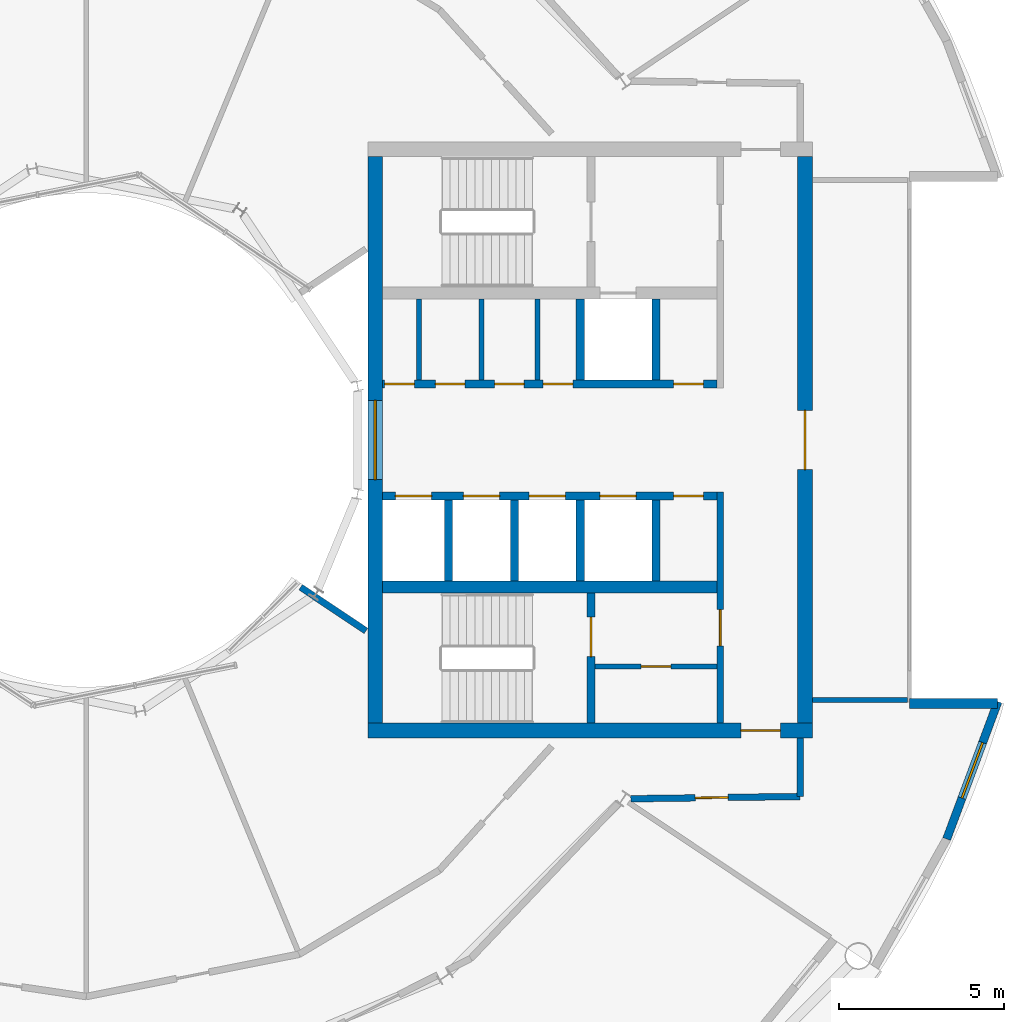
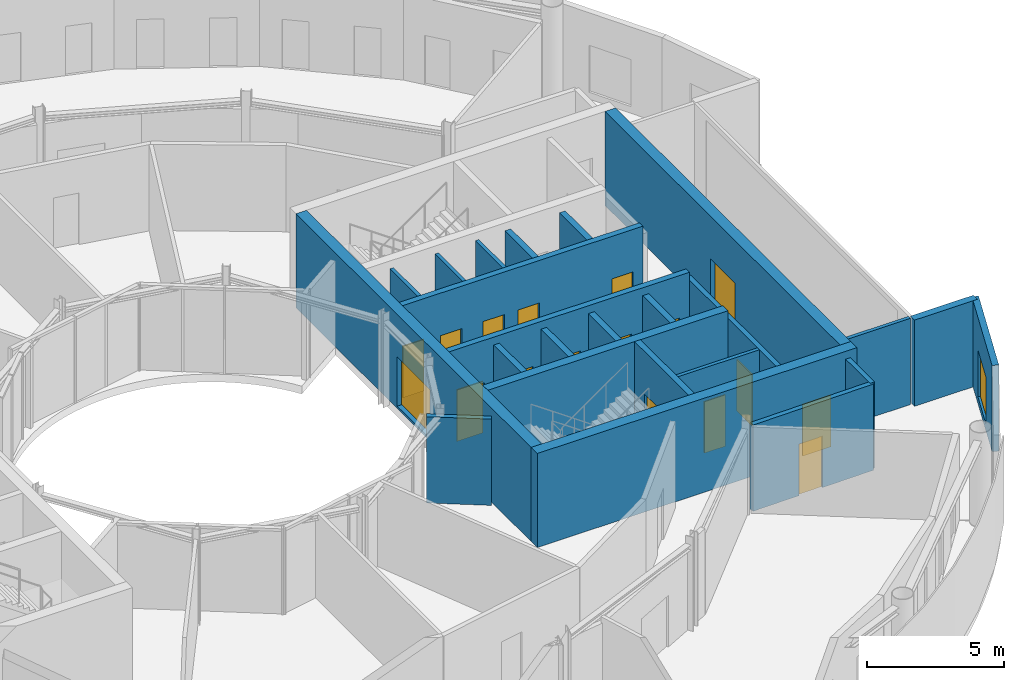
# One storey, part 16 of 22: 24 walls, 16 doors, 2 windows, 18 openings.
"""IFC4 building model written with IfcOpenShell, lengths in metres."""

from ifc_helpers import new_model, si_unit, direction, frame, frame_2d, origin, place, context, subcontext, project, spatial, rectangle, extrude, material, layer, layer_set, type_object, element, fill, save


model = new_model("IFC4")

# Units and contexts
model_context = context("Model", 3, precision=1e-05, world=origin(), true_north=direction((0.0, 1.0)))
body_context = subcontext(model_context, "Body", "Model", "MODEL_VIEW")
ifc_project = project(units=[si_unit("LENGTHUNIT", "METRE"), si_unit("AREAUNIT", "SQUARE_METRE"), si_unit("VOLUMEUNIT", "CUBIC_METRE"), si_unit("PLANEANGLEUNIT", "RADIAN"), si_unit("MASSUNIT", "GRAM", prefix="KILO")], contexts=[model_context])

# Site, building, storey
site_placement = place(None, origin())
site = spatial("IfcSite", under=ifc_project, at=site_placement, CompositionType="ELEMENT")
building_placement = place(site_placement, origin())
building = spatial("IfcBuilding", under=site, at=building_placement, Name="Maasbend Ring Residences", CompositionType="ELEMENT")
storey_placement = place(building_placement, frame((0.0, 0.0, 208.5)))
storey = spatial("IfcBuildingStorey", under=building, at=storey_placement, Name="L60", CompositionType="ELEMENT", Elevation=208.5)

# Wall, openings, doors
ifc_material_1 = material(Name="Concrete C50/60", Category="concrete")
ifc_layer_1 = layer(ifc_material_1, 0.25)
ifc_layer_set_1 = layer_set([ifc_layer_1], Name="Concrete C50/60")
wall_type_1 = type_object("IfcWallType", Name="CORE WALL 250 C50/60", PredefinedType="SHEAR", material=ifc_layer_set_1)
wall_1_placement = place(storey_placement, frame((9.0, 1.699951171875, 0.0), z_axis=(0.0, 0.0, 1.0), x_axis=(1.0, 0.0, 0.0)))
wall_1 = element("IfcWall", 1, at=wall_1_placement, inside=storey, type_object=wall_type_1, Name="L60 core E wall SPN", PredefinedType="SHEAR", context=body_context, shape_type="SweptSolid", body=[
    extrude(rectangle(XDim=10.14990234375, YDim=0.25, at=frame_2d((5.074951171875, 0.0))), origin(), (0.0, 0.0, 1.0), 4.199951171875),
])
opening_1_placement = place(wall_1_placement, frame((0.0625, 0.0, 0.0)))
opening_1 = element("IfcOpeningElement", 2, at=opening_1_placement, cuts=wall_1, Name="Opening D-E6006", PredefinedType="OPENING", context=body_context, shape_type="SweptSolid", body=[
    extrude(rectangle(XDim=0.89990234375, YDim=2.300048828125, at=frame_2d((0.449951171875, 1.14990234375))), frame((0.0, 0.135009765625, 0.0), z_axis=(0.0, -1.0, 0.0), x_axis=(1.0, 0.0, 0.0)), (0.0, 0.0, 1.0), 0.27001953125),
])
opening_2_placement = place(wall_1_placement, frame((1.60009765625, 0.0, 0.0)))
opening_2 = element("IfcOpeningElement", 3, at=opening_2_placement, cuts=wall_1, Name="Opening D-E6007", PredefinedType="OPENING", context=body_context, shape_type="SweptSolid", body=[
    extrude(rectangle(XDim=0.89990234375, YDim=2.300048828125, at=frame_2d((0.449951171875, 1.14990234375))), frame((0.0, 0.135009765625, 0.0), z_axis=(0.0, -1.0, 0.0), x_axis=(1.0, 0.0, 0.0)), (0.0, 0.0, 1.0), 0.27001953125),
])
opening_3_placement = place(wall_1_placement, frame((3.39990234375, 0.0, 0.0)))
opening_3 = element("IfcOpeningElement", 4, at=opening_3_placement, cuts=wall_1, Name="Opening D-E6008", PredefinedType="OPENING", context=body_context, shape_type="SweptSolid", body=[
    extrude(rectangle(XDim=0.89990234375, YDim=2.300048828125, at=frame_2d((0.449951171875, 1.14990234375))), frame((0.0, 0.135009765625, 0.0), z_axis=(0.0, -1.0, 0.0), x_axis=(1.0, 0.0, 0.0)), (0.0, 0.0, 1.0), 0.27001953125),
])
opening_4_placement = place(wall_1_placement, frame((4.875, 0.0, 0.0)))
opening_4 = element("IfcOpeningElement", 5, at=opening_4_placement, cuts=wall_1, Name="Opening D-E6009", PredefinedType="OPENING", context=body_context, shape_type="SweptSolid", body=[
    extrude(rectangle(XDim=0.89990234375, YDim=2.300048828125, at=frame_2d((0.449951171875, 1.14990234375))), frame((0.0, 0.135009765625, 0.0), z_axis=(0.0, -1.0, 0.0), x_axis=(1.0, 0.0, 0.0)), (0.0, 0.0, 1.0), 0.27001953125),
])
opening_5_placement = place(wall_1_placement, frame((8.83740234375, 0.0, 0.0)))
opening_5 = element("IfcOpeningElement", 6, at=opening_5_placement, cuts=wall_1, Name="Opening D-E6010", PredefinedType="OPENING", context=body_context, shape_type="SweptSolid", body=[
    extrude(rectangle(XDim=0.89990234375, YDim=2.300048828125, at=frame_2d((0.449951171875, 1.14990234375))), frame((0.0, 0.135009765625, 0.0), z_axis=(0.0, -1.0, 0.0), x_axis=(1.0, 0.0, 0.0)), (0.0, 0.0, 1.0), 0.27001953125),
])
ifc_material_2 = material(Name="Steel, powder coated", Category="steel")
door_type_1 = type_object("IfcDoorType", Name="ROOM DOOR 900 X 2300 FD30S", OperationType="NOTDEFINED", PredefinedType="DOOR", material=ifc_material_2)
door_1_placement = place(opening_1_placement, origin())
door_1 = element("IfcDoor", 7, at=door_1_placement, inside=storey, type_object=door_type_1, Name="Room door L60", OperationType="SINGLE_SWING_RIGHT", OverallHeight=2.300048828125, OverallWidth=0.89990234375, PredefinedType="DOOR", context=body_context, shape_type="SweptSolid", body=[
    extrude(rectangle(XDim=0.89990234375, YDim=2.300048828125, at=frame_2d((0.449951171875, 1.14990234375))), frame((0.0, 0.02490234375, 0.0), z_axis=(0.0, -1.0, 0.0), x_axis=(1.0, 0.0, 0.0)), (0.0, 0.0, 1.0), 0.050048828125),
])
fill(opening_1, door_1)
door_2_placement = place(opening_2_placement, origin())
door_2 = element("IfcDoor", 8, at=door_2_placement, inside=storey, type_object=door_type_1, Name="Room door L60", OperationType="SINGLE_SWING_RIGHT", OverallHeight=2.300048828125, OverallWidth=0.89990234375, PredefinedType="DOOR", context=body_context, shape_type="SweptSolid", body=[
    extrude(rectangle(XDim=0.89990234375, YDim=2.300048828125, at=frame_2d((0.449951171875, 1.14990234375))), frame((0.0, 0.02490234375, 0.0), z_axis=(0.0, -1.0, 0.0), x_axis=(1.0, 0.0, 0.0)), (0.0, 0.0, 1.0), 0.050048828125),
])
fill(opening_2, door_2)
door_3_placement = place(opening_3_placement, origin())
door_3 = element("IfcDoor", 9, at=door_3_placement, inside=storey, type_object=door_type_1, Name="Room door L60", OperationType="SINGLE_SWING_RIGHT", OverallHeight=2.300048828125, OverallWidth=0.89990234375, PredefinedType="DOOR", context=body_context, shape_type="SweptSolid", body=[
    extrude(rectangle(XDim=0.89990234375, YDim=2.300048828125, at=frame_2d((0.449951171875, 1.14990234375))), frame((0.0, 0.02490234375, 0.0), z_axis=(0.0, -1.0, 0.0), x_axis=(1.0, 0.0, 0.0)), (0.0, 0.0, 1.0), 0.050048828125),
])
fill(opening_3, door_3)
door_4_placement = place(opening_4_placement, origin())
door_4 = element("IfcDoor", 10, at=door_4_placement, inside=storey, type_object=door_type_1, Name="Room door L60", OperationType="SINGLE_SWING_LEFT", OverallHeight=2.300048828125, OverallWidth=0.89990234375, PredefinedType="DOOR", context=body_context, shape_type="SweptSolid", body=[
    extrude(rectangle(XDim=0.89990234375, YDim=2.300048828125, at=frame_2d((0.449951171875, 1.14990234375))), frame((0.0, 0.02490234375, 0.0), z_axis=(0.0, -1.0, 0.0), x_axis=(1.0, 0.0, 0.0)), (0.0, 0.0, 1.0), 0.050048828125),
])
fill(opening_4, door_4)
door_5_placement = place(opening_5_placement, origin())
door_5 = element("IfcDoor", 11, at=door_5_placement, inside=storey, type_object=door_type_1, Name="Room door L60", OperationType="SINGLE_SWING_LEFT", OverallHeight=2.300048828125, OverallWidth=0.89990234375, PredefinedType="DOOR", context=body_context, shape_type="SweptSolid", body=[
    extrude(rectangle(XDim=0.89990234375, YDim=2.300048828125, at=frame_2d((0.449951171875, 1.14990234375))), frame((0.0, 0.02490234375, 0.0), z_axis=(0.0, -1.0, 0.0), x_axis=(1.0, 0.0, 0.0)), (0.0, 0.0, 1.0), 0.050048828125),
])
fill(opening_5, door_5)

wall_2_placement = place(storey_placement, frame((19.14990234375, -1.699951171875, 0.0), z_axis=(0.0, 0.0, 1.0), x_axis=(-1.0, 0.0, 0.0)))
wall_2 = element("IfcWall", 12, at=wall_2_placement, inside=storey, type_object=wall_type_1, Name="L60 core E wall SPS", PredefinedType="SHEAR", context=body_context, shape_type="SweptSolid", body=[
    extrude(rectangle(XDim=10.14990234375, YDim=0.25, at=frame_2d((5.074951171875, 0.0))), origin(), (0.0, 0.0, 1.0), 4.199951171875),
])
opening_6_placement = place(wall_2_placement, frame((8.66259765625, 0.0, 0.0)))
opening_6 = element("IfcOpeningElement", 13, at=opening_6_placement, cuts=wall_2, Name="Opening LD-E6002", PredefinedType="OPENING", context=body_context, shape_type="SweptSolid", body=[
    extrude(rectangle(XDim=1.10009765625, YDim=2.300048828125, at=frame_2d((0.550048828125, 1.14990234375))), frame((0.0, 0.135009765625, 0.0), z_axis=(0.0, -1.0, 0.0), x_axis=(1.0, 0.0, 0.0)), (0.0, 0.0, 1.0), 0.27001953125),
])
opening_7_placement = place(wall_2_placement, frame((6.60009765625, 0.0, 0.0)))
opening_7 = element("IfcOpeningElement", 14, at=opening_7_placement, cuts=wall_2, Name="Opening LD-E6003", PredefinedType="OPENING", context=body_context, shape_type="SweptSolid", body=[
    extrude(rectangle(XDim=1.10009765625, YDim=2.300048828125, at=frame_2d((0.550048828125, 1.14990234375))), frame((0.0, 0.135009765625, 0.0), z_axis=(0.0, -1.0, 0.0), x_axis=(1.0, 0.0, 0.0)), (0.0, 0.0, 1.0), 0.27001953125),
])
opening_8_placement = place(wall_2_placement, frame((4.60009765625, 0.0, 0.0)))
opening_8 = element("IfcOpeningElement", 15, at=opening_8_placement, cuts=wall_2, Name="Opening LD-E6004", PredefinedType="OPENING", context=body_context, shape_type="SweptSolid", body=[
    extrude(rectangle(XDim=1.10009765625, YDim=2.300048828125, at=frame_2d((0.550048828125, 1.14990234375))), frame((0.0, 0.135009765625, 0.0), z_axis=(0.0, -1.0, 0.0), x_axis=(1.0, 0.0, 0.0)), (0.0, 0.0, 1.0), 0.27001953125),
])
opening_9_placement = place(wall_2_placement, frame((2.449951171875, 0.0, 0.0)))
opening_9 = element("IfcOpeningElement", 16, at=opening_9_placement, cuts=wall_2, Name="Opening LD-E6005", PredefinedType="OPENING", context=body_context, shape_type="SweptSolid", body=[
    extrude(rectangle(XDim=1.10009765625, YDim=2.300048828125, at=frame_2d((0.550048828125, 1.14990234375))), frame((0.0, 0.135009765625, 0.0), z_axis=(0.0, -1.0, 0.0), x_axis=(1.0, 0.0, 0.0)), (0.0, 0.0, 1.0), 0.27001953125),
])
opening_10_placement = place(wall_2_placement, frame((0.41259765625, 0.0, 0.0)))
opening_10 = element("IfcOpeningElement", 17, at=opening_10_placement, cuts=wall_2, Name="Opening D-E6011", PredefinedType="OPENING", context=body_context, shape_type="SweptSolid", body=[
    extrude(rectangle(XDim=0.89990234375, YDim=2.300048828125, at=frame_2d((0.449951171875, 1.14990234375))), frame((0.0, 0.135009765625, 0.0), z_axis=(0.0, -1.0, 0.0), x_axis=(1.0, 0.0, 0.0)), (0.0, 0.0, 1.0), 0.27001953125),
])
ifc_material_3 = material(Name="Stainless steel 316", Category="steel")
door_type_2 = type_object("IfcDoorType", Name="LANDING DOOR 1100 X 2300 FD60", OperationType="DOUBLE_DOOR_SLIDING", PredefinedType="DOOR", material=ifc_material_3)
door_6_placement = place(opening_6_placement, origin())
door_6 = element("IfcDoor", 18, at=door_6_placement, inside=storey, type_object=door_type_2, Name="Landing door HR-E1 L60", OperationType="DOUBLE_DOOR_SLIDING", OverallHeight=2.300048828125, OverallWidth=1.10009765625, PredefinedType="DOOR", context=body_context, shape_type="SweptSolid", body=[
    extrude(rectangle(XDim=1.10009765625, YDim=2.300048828125, at=frame_2d((0.550048828125, 1.14990234375))), frame((0.0, 0.02490234375, 0.0), z_axis=(0.0, -1.0, 0.0), x_axis=(1.0, 0.0, 0.0)), (0.0, 0.0, 1.0), 0.050048828125),
])
fill(opening_6, door_6)
door_7_placement = place(opening_7_placement, origin())
door_7 = element("IfcDoor", 19, at=door_7_placement, inside=storey, type_object=door_type_2, Name="Landing door HR-E2 L60", OperationType="DOUBLE_DOOR_SLIDING", OverallHeight=2.300048828125, OverallWidth=1.10009765625, PredefinedType="DOOR", context=body_context, shape_type="SweptSolid", body=[
    extrude(rectangle(XDim=1.10009765625, YDim=2.300048828125, at=frame_2d((0.550048828125, 1.14990234375))), frame((0.0, 0.02490234375, 0.0), z_axis=(0.0, -1.0, 0.0), x_axis=(1.0, 0.0, 0.0)), (0.0, 0.0, 1.0), 0.050048828125),
])
fill(opening_7, door_7)
door_8_placement = place(opening_8_placement, origin())
door_8 = element("IfcDoor", 20, at=door_8_placement, inside=storey, type_object=door_type_2, Name="Landing door HR-E3 L60", OperationType="DOUBLE_DOOR_SLIDING", OverallHeight=2.300048828125, OverallWidth=1.10009765625, PredefinedType="DOOR", context=body_context, shape_type="SweptSolid", body=[
    extrude(rectangle(XDim=1.10009765625, YDim=2.300048828125, at=frame_2d((0.550048828125, 1.14990234375))), frame((0.0, 0.02490234375, 0.0), z_axis=(0.0, -1.0, 0.0), x_axis=(1.0, 0.0, 0.0)), (0.0, 0.0, 1.0), 0.050048828125),
])
fill(opening_8, door_8)
door_9_placement = place(opening_9_placement, origin())
door_9 = element("IfcDoor", 21, at=door_9_placement, inside=storey, type_object=door_type_2, Name="Landing door SV-E L60", OperationType="DOUBLE_DOOR_SLIDING", OverallHeight=2.300048828125, OverallWidth=1.10009765625, PredefinedType="DOOR", context=body_context, shape_type="SweptSolid", body=[
    extrude(rectangle(XDim=1.10009765625, YDim=2.300048828125, at=frame_2d((0.550048828125, 1.14990234375))), frame((0.0, 0.02490234375, 0.0), z_axis=(0.0, -1.0, 0.0), x_axis=(1.0, 0.0, 0.0)), (0.0, 0.0, 1.0), 0.050048828125),
])
fill(opening_9, door_9)
door_10_placement = place(opening_10_placement, origin())
door_10 = element("IfcDoor", 22, at=door_10_placement, inside=storey, type_object=door_type_1, Name="Room door L60", OperationType="SINGLE_SWING_RIGHT", OverallHeight=2.300048828125, OverallWidth=0.89990234375, PredefinedType="DOOR", context=body_context, shape_type="SweptSolid", body=[
    extrude(rectangle(XDim=0.89990234375, YDim=2.300048828125, at=frame_2d((0.449951171875, 1.14990234375))), frame((0.0, 0.02490234375, 0.0), z_axis=(0.0, -1.0, 0.0), x_axis=(1.0, 0.0, 0.0)), (0.0, 0.0, 1.0), 0.050048828125),
])
fill(opening_10, door_10)

# Wall, opening, door
wall_3_placement = place(storey_placement, frame((15.324951171875, -8.60009765625, 0.0), z_axis=(0.0, 0.0, 1.0), x_axis=(0.0, 1.0, 0.0)))
wall_3 = element("IfcWall", 23, at=wall_3_placement, inside=storey, type_object=wall_type_1, Name="L60 core E wall STES", PredefinedType="SHEAR", context=body_context, shape_type="SweptSolid", body=[
    extrude(rectangle(XDim=3.9501953125, YDim=0.25, at=frame_2d((1.97509765625, 0.0))), origin(), (0.0, 0.0, 1.0), 4.199951171875),
])
opening_11_placement = place(wall_3_placement, frame((2.02490234375, 0.0, 0.0)))
opening_11 = element("IfcOpeningElement", 24, at=opening_11_placement, cuts=wall_3, Name="Opening D-E6014", PredefinedType="OPENING", context=body_context, shape_type="SweptSolid", body=[
    extrude(rectangle(XDim=1.199951171875, YDim=2.300048828125, at=frame_2d((0.60009765625, 1.14990234375))), frame((0.0, 0.135009765625, 0.0), z_axis=(0.0, -1.0, 0.0), x_axis=(1.0, 0.0, 0.0)), (0.0, 0.0, 1.0), 0.27001953125),
])
ifc_material_4 = material(Name="Steel, powder coated", Category="steel")
door_type_3 = type_object("IfcDoorType", Name="STAIR DOOR 1200 X 2300 FD60", OperationType="NOTDEFINED", PredefinedType="DOOR", material=ifc_material_4)
door_11_placement = place(opening_11_placement, origin())
door_11 = element("IfcDoor", 25, at=door_11_placement, inside=storey, type_object=door_type_3, Name="Stair door ST-E L60", OperationType="SINGLE_SWING_LEFT", OverallHeight=2.300048828125, OverallWidth=1.199951171875, PredefinedType="DOOR", context=body_context, shape_type="SweptSolid", body=[
    extrude(rectangle(XDim=1.199951171875, YDim=2.300048828125, at=frame_2d((0.60009765625, 1.14990234375))), frame((0.0, 0.02490234375, 0.0), z_axis=(0.0, -1.0, 0.0), x_axis=(1.0, 0.0, 0.0)), (0.0, 0.0, 1.0), 0.050048828125),
])
fill(opening_11, door_11)

# Wall
ifc_material_5 = material(Name="Concrete C50/60", Category="concrete")
ifc_layer_2 = layer(ifc_material_5, 0.375)
ifc_layer_set_2 = layer_set([ifc_layer_2], Name="Concrete C50/60")
wall_type_2 = type_object("IfcWallType", Name="CORE WALL 375 C50/60", PredefinedType="SHEAR", material=ifc_layer_set_2)
wall_4_placement = place(storey_placement, frame((9.0, -4.46240234375, 0.0), z_axis=(0.0, 0.0, 1.0), x_axis=(1.0, 0.0, 0.0)))
element("IfcWall", 26, at=wall_4_placement, inside=storey, type_object=wall_type_2, Name="L60 core E wall BS", PredefinedType="SHEAR", context=body_context, shape_type="SweptSolid", body=[
    extrude(rectangle(XDim=10.14990234375, YDim=0.375, at=frame_2d((5.074951171875, 0.0))), origin(), (0.0, 0.0, 1.0), 4.199951171875),
])

# Wall, opening, door
ifc_material_6 = material(Name="Concrete C50/60", Category="concrete")
ifc_layer_3 = layer(ifc_material_6, 0.449951171875)
ifc_layer_set_3 = layer_set([ifc_layer_3], Name="Concrete C50/60")
wall_type_3 = type_object("IfcWallType", Name="CORE WALL 450 C50/60", PredefinedType="SHEAR", material=ifc_layer_set_3)
wall_5_placement = place(storey_placement, frame((8.550048828125, -8.824951171875, 0.0), z_axis=(0.0, 0.0, 1.0), x_axis=(1.0, 0.0, 0.0)))
wall_5 = element("IfcWall", 27, at=wall_5_placement, inside=storey, type_object=wall_type_3, Name="L60 core E wall PS", PredefinedType="SHEAR", context=body_context, shape_type="SweptSolid", body=[
    extrude(rectangle(XDim=13.5, YDim=0.449951171875, at=frame_2d((6.75, 0.0))), origin(), (0.0, 0.0, 1.0), 4.199951171875),
])
opening_12_placement = place(wall_5_placement, frame((11.324951171875, 0.0, 0.0)))
opening_12 = element("IfcOpeningElement", 28, at=opening_12_placement, cuts=wall_5, Name="Opening D-E6018", PredefinedType="OPENING", context=body_context, shape_type="SweptSolid", body=[
    extrude(rectangle(XDim=1.199951171875, YDim=2.300048828125, at=frame_2d((0.60009765625, 1.14990234375))), frame((0.0, 0.23486328125, 0.0), z_axis=(0.0, -1.0, 0.0), x_axis=(1.0, 0.0, 0.0)), (0.0, 0.0, 1.0), 0.469970703125),
])
ifc_material_7 = material(Name="Steel, powder coated", Category="steel")
door_type_4 = type_object("IfcDoorType", Name="CORRIDOR DOOR 1200 X 2300 FD30S", OperationType="NOTDEFINED", PredefinedType="DOOR", material=ifc_material_7)
door_12_placement = place(opening_12_placement, origin())
door_12 = element("IfcDoor", 29, at=door_12_placement, inside=storey, type_object=door_type_4, Name="Corridor door L60", OperationType="SINGLE_SWING_LEFT", OverallHeight=2.300048828125, OverallWidth=1.199951171875, PredefinedType="DOOR", context=body_context, shape_type="SweptSolid", body=[
    extrude(rectangle(XDim=1.199951171875, YDim=2.300048828125, at=frame_2d((0.60009765625, 1.14990234375))), frame((0.0, 0.02490234375, 0.0), z_axis=(0.0, -1.0, 0.0), x_axis=(1.0, 0.0, 0.0)), (0.0, 0.0, 1.0), 0.050048828125),
])
fill(opening_12, door_12)

wall_6_placement = place(storey_placement, frame((21.824951171875, 8.60009765625, 0.0), z_axis=(0.0, 0.0, 1.0), x_axis=(0.0, -1.0, 0.0)))
wall_6 = element("IfcWall", 30, at=wall_6_placement, inside=storey, type_object=wall_type_3, Name="L60 core E wall POUT", PredefinedType="SHEAR", context=body_context, shape_type="SweptSolid", body=[
    extrude(rectangle(XDim=17.2001953125, YDim=0.449951171875, at=frame_2d((8.60009765625, 0.0))), origin(), (0.0, 0.0, 1.0), 4.199951171875),
])
opening_13_placement = place(wall_6_placement, frame((7.699951171875, 0.0, 0.0)))
opening_13 = element("IfcOpeningElement", 31, at=opening_13_placement, cuts=wall_6, Name="Opening D-E6019", PredefinedType="OPENING", context=body_context, shape_type="SweptSolid", body=[
    extrude(rectangle(XDim=1.800048828125, YDim=2.300048828125, at=frame_2d((0.89990234375, 1.14990234375))), frame((0.0, 0.23486328125, 0.0), z_axis=(0.0, -1.0, 0.0), x_axis=(1.0, 0.0, 0.0)), (0.0, 0.0, 1.0), 0.469970703125),
])
ifc_material_8 = material(Name="Aluminium frame, clear glass", Category="aluminium")
door_type_5 = type_object("IfcDoorType", Name="ENTRANCE DOOR 1800 X 2300 FD60", OperationType="NOTDEFINED", PredefinedType="DOOR", material=ifc_material_8)
door_13_placement = place(opening_13_placement, origin())
door_13 = element("IfcDoor", 32, at=door_13_placement, inside=storey, type_object=door_type_5, Name="Lobby glazed door L60", OperationType="SINGLE_SWING_LEFT", OverallHeight=2.300048828125, OverallWidth=1.800048828125, PredefinedType="DOOR", context=body_context, shape_type="SweptSolid", body=[
    extrude(rectangle(XDim=1.800048828125, YDim=2.300048828125, at=frame_2d((0.89990234375, 1.14990234375))), frame((0.0, 0.02490234375, 0.0), z_axis=(0.0, -1.0, 0.0), x_axis=(1.0, 0.0, 0.0)), (0.0, 0.0, 1.0), 0.050048828125),
])
fill(opening_13, door_13)

# Wall, opening, window
wall_7_placement = place(storey_placement, frame((8.77490234375, -8.60009765625, 0.0), z_axis=(0.0, 0.0, 1.0), x_axis=(0.0, 1.0, 0.0)))
wall_7 = element("IfcWall", 33, at=wall_7_placement, inside=storey, type_object=wall_type_3, Name="L60 core E wall PIN", PredefinedType="SHEAR", context=body_context, shape_type="SweptSolid", body=[
    extrude(rectangle(XDim=17.2001953125, YDim=0.449951171875, at=frame_2d((8.60009765625, 0.0))), origin(), (0.0, 0.0, 1.0), 4.199951171875),
])
opening_14_placement = place(wall_7_placement, frame((7.39990234375, 0.0, 0.10009765625)))
opening_14 = element("IfcOpeningElement", 34, at=opening_14_placement, cuts=wall_7, Name="Opening W-E6001", PredefinedType="OPENING", context=body_context, shape_type="SweptSolid", body=[
    extrude(rectangle(XDim=2.39990234375, YDim=2.199951171875, at=frame_2d((1.199951171875, 1.10009765625))), frame((0.0, 0.23486328125, 0.0), z_axis=(0.0, -1.0, 0.0), x_axis=(1.0, 0.0, 0.0)), (0.0, 0.0, 1.0), 0.469970703125),
])
ifc_material_9 = material(Name="Aluminium frame and clear glass", Category="aluminium")
window_type_1 = type_object("IfcWindowType", Name="FIXED WINDOW 2400 X 2200", PartitioningType="SINGLE_PANEL", PredefinedType="WINDOW", material=ifc_material_9)
window_1_placement = place(opening_14_placement, origin())
window_1 = element("IfcWindow", 35, at=window_1_placement, inside=storey, type_object=window_type_1, Name="Lobby window L60", OverallHeight=2.199951171875, OverallWidth=2.39990234375, PartitioningType="SINGLE_PANEL", PredefinedType="WINDOW", context=body_context, shape_type="SweptSolid", body=[
    extrude(rectangle(XDim=2.39990234375, YDim=2.199951171875, at=frame_2d((1.199951171875, 1.10009765625))), frame((0.0, 0.030029296875, 0.0), z_axis=(0.0, -1.0, 0.0), x_axis=(1.0, 0.0, 0.0)), (0.0, 0.0, 1.0), 0.06005859375),
])
fill(opening_14, window_1)

# Wall
ifc_material_10 = material(Name="Concrete C30/37", Category="concrete")
ifc_layer_4 = layer(ifc_material_10, 0.199951171875)
ifc_layer_set_4 = layer_set([ifc_layer_4], Name="Concrete C30/37")
wall_type_4 = type_object("IfcWallType", Name="CORRIDOR WALL 200 CONCRETE", PredefinedType="PARTITIONING", material=ifc_layer_set_4)
wall_8_placement = place(storey_placement, frame((21.675048828125, -10.824951171875, 0.0), z_axis=(0.0, 0.0, 1.0), x_axis=(0.0, 1.0, 0.0)))
element("IfcWall", 36, at=wall_8_placement, inside=storey, type_object=wall_type_4, Name="U-L60-w002", PredefinedType="PARTITIONING", context=body_context, shape_type="SweptSolid", body=[
    extrude(rectangle(XDim=1.77490234375, YDim=0.199951171875, at=frame_2d((0.887451171875, 0.0))), origin(), (0.0, 0.0, 1.0), 3.85009765625),
])

# Wall, opening, door
wall_9_placement = place(storey_placement, frame((16.533935546875, -10.89404296875, 0.0), z_axis=(0.0, 0.0, 1.0), x_axis=(0.999909707888, 0.013437859594, 0.0)))
wall_9 = element("IfcWall", 37, at=wall_9_placement, inside=storey, type_object=wall_type_4, Name="U-L60-w020", PredefinedType="PARTITIONING", context=body_context, shape_type="SweptSolid", body=[
    extrude(rectangle(XDim=5.1416015625, YDim=0.199951171875, at=frame_2d((2.57080078125, 0.0))), origin(), (0.0, 0.0, 1.0), 3.85009765625),
])
opening_15_placement = place(wall_9_placement, frame((1.9580078125, 0.0, 0.0)))
opening_15 = element("IfcOpeningElement", 38, at=opening_15_placement, cuts=wall_9, Name="Opening D-6025", PredefinedType="OPENING", context=body_context, shape_type="SweptSolid", body=[
    extrude(rectangle(XDim=1.0, YDim=2.300048828125, at=frame_2d((0.5, 1.14990234375))), frame((0.0, 0.10986328125, 0.0), z_axis=(0.0, -1.0, 0.0), x_axis=(1.0, 0.0, 0.0)), (0.0, 0.0, 1.0), 0.219970703125),
])
ifc_material_11 = material(Name="Timber, painted", Category="wood")
door_type_6 = type_object("IfcDoorType", Name="ROOM DOOR 1000 X 2300", OperationType="NOTDEFINED", PredefinedType="DOOR", material=ifc_material_11)
door_14_placement = place(opening_15_placement, origin())
door_14 = element("IfcDoor", 39, at=door_14_placement, inside=storey, type_object=door_type_6, Name="D-6025", OperationType="SINGLE_SWING_LEFT", OverallHeight=2.300048828125, OverallWidth=1.0, PredefinedType="DOOR", context=body_context, shape_type="SweptSolid", body=[
    extrude(rectangle(XDim=1.0, YDim=2.300048828125, at=frame_2d((0.5, 1.14990234375))), frame((0.0, 0.02490234375, 0.0), z_axis=(0.0, -1.0, 0.0), x_axis=(1.0, 0.0, 0.0)), (0.0, 0.0, 1.0), 0.050048828125),
])
fill(opening_15, door_14)

# Wall, opening, window
ifc_material_12 = material(Name="Aluminium clad insulated panel", Category="aluminium")
ifc_layer_5 = layer(ifc_material_12, 0.25)
ifc_layer_set_5 = layer_set([ifc_layer_5], Name="EW-HORN")
wall_type_5 = type_object("IfcWallType", Name="EW-HORN", PredefinedType="SOLIDWALL", material=ifc_layer_set_5)
wall_10_placement = place(storey_placement, frame((26.126953125, -12.116943359375, 0.0), z_axis=(0.0, 0.0, 1.0), x_axis=(0.349247811493, 0.937030397675, 0.0)))
wall_10 = element("IfcWall", 40, at=wall_10_placement, inside=storey, type_object=wall_type_5, Name="Horn wall 2.2", PredefinedType="SOLIDWALL", context=body_context, shape_type="SweptSolid", body=[
    extrude(rectangle(XDim=4.4521484375, YDim=0.25, at=frame_2d((2.22607421875, 0.0))), origin(), (0.0, 0.0, 1.0), 3.85009765625),
])
opening_16_placement = place(wall_10_placement, frame((1.32666015625, 0.0, 0.300048828125)))
opening_16 = element("IfcOpeningElement", 41, at=opening_16_placement, cuts=wall_10, Name="Opening W-BX", PredefinedType="OPENING", context=body_context, shape_type="SweptSolid", body=[
    extrude(rectangle(XDim=1.800048828125, YDim=2.10009765625, at=frame_2d((0.89990234375, 1.050048828125))), frame((0.0, 0.135009765625, 0.0), z_axis=(0.0, -1.0, 0.0), x_axis=(1.0, 0.0, 0.0)), (0.0, 0.0, 1.0), 0.27001953125),
])
ifc_material_13 = material(Name="Aluminium and clear glass", Category="aluminium")
window_type_2 = type_object("IfcWindowType", Name="W-BX", PartitioningType="DOUBLE_PANEL_VERTICAL", PredefinedType="WINDOW", material=ifc_material_13)
window_2_placement = place(opening_16_placement, origin())
window_2 = element("IfcWindow", 42, at=window_2_placement, inside=storey, type_object=window_type_2, Name="Horn window 2.2", OverallHeight=2.10009765625, OverallWidth=1.800048828125, PartitioningType="SINGLE_PANEL", PredefinedType="WINDOW", context=body_context, shape_type="SweptSolid", body=[
    extrude(rectangle(XDim=1.800048828125, YDim=2.10009765625, at=frame_2d((0.89990234375, 1.050048828125))), frame((0.0, 0.030029296875, 0.0), z_axis=(0.0, -1.0, 0.0), x_axis=(1.0, 0.0, 0.0)), (0.0, 0.0, 1.0), 0.06005859375),
])
fill(opening_16, window_2)

# Walls
ifc_material_14 = material(Name="Aluminium clad insulated panel", Category="aluminium")
ifc_layer_6 = layer(ifc_material_14, 0.300048828125)
ifc_layer_set_6 = layer_set([ifc_layer_6], Name="EW-RET")
wall_type_6 = type_object("IfcWallType", Name="EW-RET", PredefinedType="SOLIDWALL", material=ifc_layer_set_6)
wall_11_placement = place(storey_placement, frame((25.0, -8.0, 0.0), z_axis=(0.0, 0.0, 1.0), x_axis=(1.0, 0.0, 0.0)))
element("IfcWall", 43, at=wall_11_placement, inside=storey, type_object=wall_type_6, Name="Notch return wall east south", PredefinedType="SOLIDWALL", context=body_context, shape_type="SweptSolid", body=[
    extrude(rectangle(XDim=2.6669921875, YDim=0.300048828125, at=frame_2d((1.33349609375, 0.0))), origin(), (0.0, 0.0, 1.0), 3.85009765625),
])
ifc_material_15 = material(Name="Gypsum board on steel studs", Category="steel")
ifc_layer_7 = layer(ifc_material_15, 0.14990234375)
ifc_layer_set_7 = layer_set([ifc_layer_7], Name="PARTITION 150 EI 60")
wall_type_7 = type_object("IfcWallType", Name="PARTITION 150 EI 60", PredefinedType="PARTITIONING", material=ifc_layer_set_7)
for number, where, z_axis, x_axis, name in (
    (44, (10.10009765625, 1.824951171875, 0.0), (0.0, 0.0, 1.0), (0.0, 1.0, 0.0), "L60 core E wall PRN1010"),
    (45, (12.0, 1.824951171875, 0.0), (0.0, 0.0, 1.0), (0.0, 1.0, 0.0), "L60 core E wall PRN1200"),
    (46, (13.699951171875, 1.824951171875, 0.0), (0.0, 0.0, 1.0), (0.0, 1.0, 0.0), "L60 core E wall PRN1370"),
):
    element("IfcWall", number, at=place(storey_placement, frame(where, z_axis=z_axis, x_axis=x_axis)), inside=storey, type_object=wall_type_7, Name=name, PredefinedType="PARTITIONING", context=body_context, shape_type="SweptSolid", body=[
        extrude(rectangle(XDim=2.449951171875, YDim=0.14990234375, at=frame_2d((1.22509765625, 0.0))), origin(), (0.0, 0.0, 1.0), 3.85009765625),
    ])

# Wall, opening, door
wall_12_placement = place(storey_placement, frame((15.449951171875, -6.875, 0.0), z_axis=(0.0, 0.0, 1.0), x_axis=(1.0, 0.0, 0.0)))
wall_12 = element("IfcWall", 47, at=wall_12_placement, inside=storey, type_object=wall_type_7, Name="L60 core E wall RHS", PredefinedType="PARTITIONING", context=body_context, shape_type="SweptSolid", body=[
    extrude(rectangle(XDim=3.699951171875, YDim=0.14990234375, at=frame_2d((1.85009765625, 0.0))), origin(), (0.0, 0.0, 1.0), 3.85009765625),
])
opening_17_placement = place(wall_12_placement, frame((1.39990234375, 0.0, 0.0)))
opening_17 = element("IfcOpeningElement", 48, at=opening_17_placement, cuts=wall_12, Name="Opening D-E6012", PredefinedType="OPENING", context=body_context, shape_type="SweptSolid", body=[
    extrude(rectangle(XDim=0.89990234375, YDim=2.300048828125, at=frame_2d((0.449951171875, 1.14990234375))), frame((0.0, 0.0849609375, 0.0), z_axis=(0.0, -1.0, 0.0), x_axis=(1.0, 0.0, 0.0)), (0.0, 0.0, 1.0), 0.169921875),
])
ifc_material_16 = material(Name="Steel, powder coated", Category="steel")
door_type_7 = type_object("IfcDoorType", Name="RISER DOOR 900 X 2300 FD60", OperationType="NOTDEFINED", PredefinedType="DOOR", material=ifc_material_16)
door_15_placement = place(opening_17_placement, origin())
door_15 = element("IfcDoor", 49, at=door_15_placement, inside=storey, type_object=door_type_7, Name="Riser door L60", OperationType="SINGLE_SWING_LEFT", OverallHeight=2.300048828125, OverallWidth=0.89990234375, PredefinedType="DOOR", context=body_context, shape_type="SweptSolid", body=[
    extrude(rectangle(XDim=0.89990234375, YDim=2.300048828125, at=frame_2d((0.449951171875, 1.14990234375))), frame((0.0, 0.02490234375, 0.0), z_axis=(0.0, -1.0, 0.0), x_axis=(1.0, 0.0, 0.0)), (0.0, 0.0, 1.0), 0.050048828125),
])
fill(opening_17, door_15)

# Walls
wall_13_placement = place(storey_placement, frame((22.050048828125, -7.89990234375, 0.0), z_axis=(0.0, 0.0, 1.0), x_axis=(1.0, 0.0, 0.0)))
element("IfcWall", 50, at=wall_13_placement, inside=storey, type_object=wall_type_7, Name="L60 core E wall CITS", PredefinedType="PARTITIONING", context=body_context, shape_type="SweptSolid", body=[
    extrude(rectangle(XDim=2.889892578125, YDim=0.14990234375, at=frame_2d((1.44482421875, 0.0))), origin(), (0.0, 0.0, 1.0), 3.85009765625),
])
ifc_material_17 = material(Name="Concrete C30/37", Category="concrete")
ifc_layer_8 = layer(ifc_material_17, 0.199951171875)
ifc_layer_set_8 = layer_set([ifc_layer_8], Name="Concrete C30/37")
wall_type_8 = type_object("IfcWallType", Name="PARTY WALL 200 CONCRETE", PredefinedType="PARTITIONING", material=ifc_layer_set_8)
wall_14_placement = place(storey_placement, frame((6.512939453125, -4.471923828125, 0.0), z_axis=(0.0, 0.0, 1.0), x_axis=(0.831403409976, -0.555669299026, 0.0)))
element("IfcWall", 51, at=wall_14_placement, inside=storey, type_object=wall_type_8, Name="U-L60-w022", PredefinedType="PARTITIONING", context=body_context, shape_type="SweptSolid", body=[
    extrude(rectangle(XDim=2.382568359375, YDim=0.199951171875, at=frame_2d((1.19140625, 0.0))), origin(), (0.0, 0.0, 1.0), 3.85009765625),
])

# Wall, opening, door
ifc_material_18 = material(Name="Concrete C30/37", Category="concrete")
ifc_layer_9 = layer(ifc_material_18, 0.199951171875)
ifc_layer_set_9 = layer_set([ifc_layer_9], Name="Concrete C30/37")
wall_type_9 = type_object("IfcWallType", Name="SHAFT WALL 200 EI 120", PredefinedType="SOLIDWALL", material=ifc_layer_set_9)
wall_15_placement = place(storey_placement, frame((19.25, -8.60009765625, 0.0), z_axis=(0.0, 0.0, 1.0), x_axis=(0.0, 1.0, 0.0)))
wall_15 = element("IfcWall", 52, at=wall_15_placement, inside=storey, type_object=wall_type_9, Name="L60 core E wall ENDS", PredefinedType="SOLIDWALL", context=body_context, shape_type="SweptSolid", body=[
    extrude(rectangle(XDim=7.025146484375, YDim=0.199951171875, at=frame_2d((3.5126953125, 0.0))), origin(), (0.0, 0.0, 1.0), 3.85009765625),
])
opening_18_placement = place(wall_15_placement, frame((2.35009765625, 0.0, 0.0)))
opening_18 = element("IfcOpeningElement", 53, at=opening_18_placement, cuts=wall_15, Name="Opening D-E6016", PredefinedType="OPENING", context=body_context, shape_type="SweptSolid", body=[
    extrude(rectangle(XDim=1.10009765625, YDim=2.300048828125, at=frame_2d((0.550048828125, 1.14990234375))), frame((0.0, 0.10986328125, 0.0), z_axis=(0.0, -1.0, 0.0), x_axis=(1.0, 0.0, 0.0)), (0.0, 0.0, 1.0), 0.219970703125),
])
ifc_material_19 = material(Name="Steel, powder coated", Category="steel")
door_type_8 = type_object("IfcDoorType", Name="LOBBY DOOR 1100 X 2300 FD60", OperationType="NOTDEFINED", PredefinedType="DOOR", material=ifc_material_19)
door_16_placement = place(opening_18_placement, origin())
door_16 = element("IfcDoor", 54, at=door_16_placement, inside=storey, type_object=door_type_8, Name="Lobby door L60", OperationType="SINGLE_SWING_RIGHT", OverallHeight=2.300048828125, OverallWidth=1.10009765625, PredefinedType="DOOR", context=body_context, shape_type="SweptSolid", body=[
    extrude(rectangle(XDim=1.10009765625, YDim=2.300048828125, at=frame_2d((0.550048828125, 1.14990234375))), frame((0.0, 0.02490234375, 0.0), z_axis=(0.0, -1.0, 0.0), x_axis=(1.0, 0.0, 0.0)), (0.0, 0.0, 1.0), 0.050048828125),
])
fill(opening_18, door_16)

# Walls
ifc_material_20 = material(Name="Concrete C30/37", Category="concrete")
ifc_layer_10 = layer(ifc_material_20, 0.25)
ifc_layer_set_10 = layer_set([ifc_layer_10], Name="Concrete C30/37")
wall_type_10 = type_object("IfcWallType", Name="SHAFT WALL 250 EI 120", PredefinedType="SOLIDWALL", material=ifc_layer_set_10)
for number, where, z_axis, x_axis, name in (
    (55, (15.0, 1.824951171875, 0.0), (0.0, 0.0, 1.0), (0.0, 1.0, 0.0), "L60 core E wall D150N"),
    (56, (17.300048828125, 1.824951171875, 0.0), (0.0, 0.0, 1.0), (0.0, 1.0, 0.0), "L60 core E wall D173N"),
    (57, (15.0, -1.824951171875, 0.0), (0.0, 0.0, 1.0), (0.0, -1.0, 0.0), "L60 core E wall D150S"),
    (58, (17.300048828125, -1.824951171875, 0.0), (0.0, 0.0, 1.0), (0.0, -1.0, 0.0), "L60 core E wall D173S"),
    (59, (11.0, -1.824951171875, 0.0), (0.0, 0.0, 1.0), (0.0, -1.0, 0.0), "L60 core E wall D110S"),
    (60, (13.0, -1.824951171875, 0.0), (0.0, 0.0, 1.0), (0.0, -1.0, 0.0), "L60 core E wall D130S"),
):
    element("IfcWall", number, at=place(storey_placement, frame(where, z_axis=z_axis, x_axis=x_axis)), inside=storey, type_object=wall_type_10, Name=name, PredefinedType="SOLIDWALL", context=body_context, shape_type="SweptSolid", body=[
        extrude(rectangle(XDim=2.449951171875, YDim=0.25, at=frame_2d((1.22509765625, 0.0))), origin(), (0.0, 0.0, 1.0), 3.85009765625),
    ])

save(model, "model.ifc")
